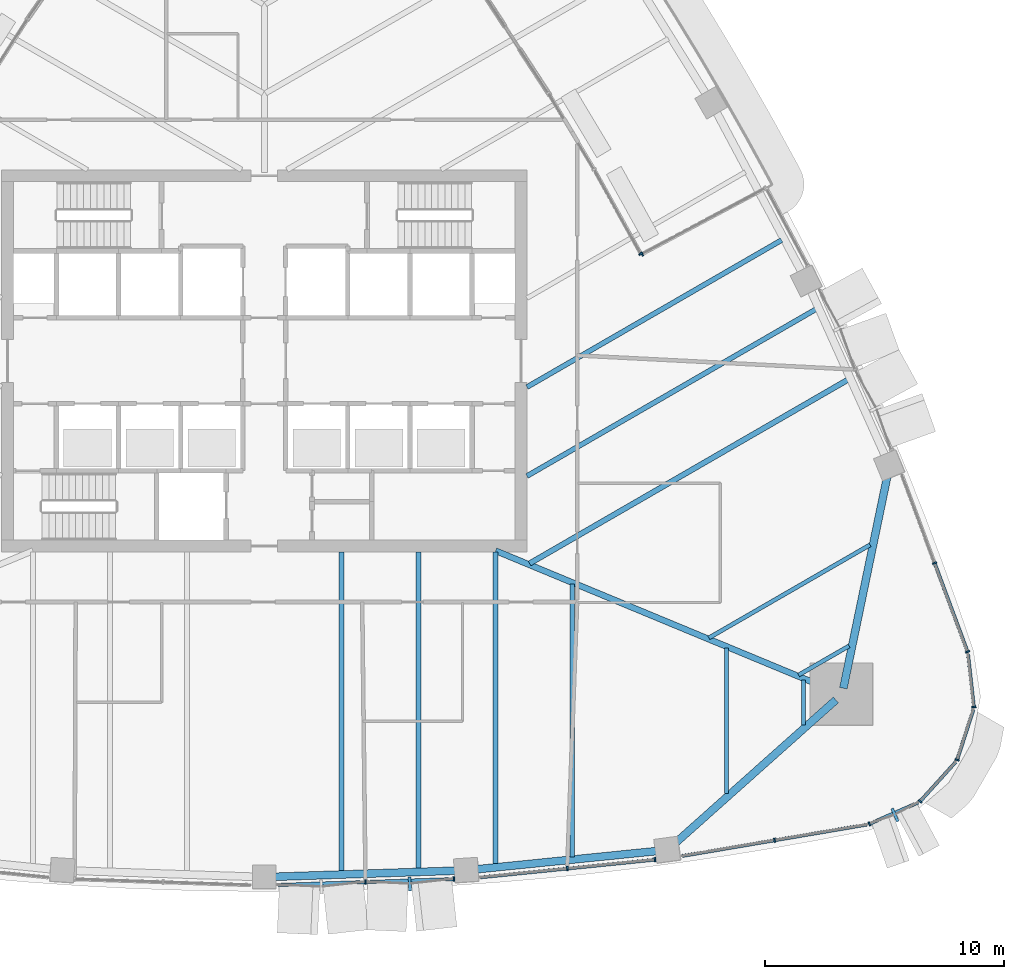
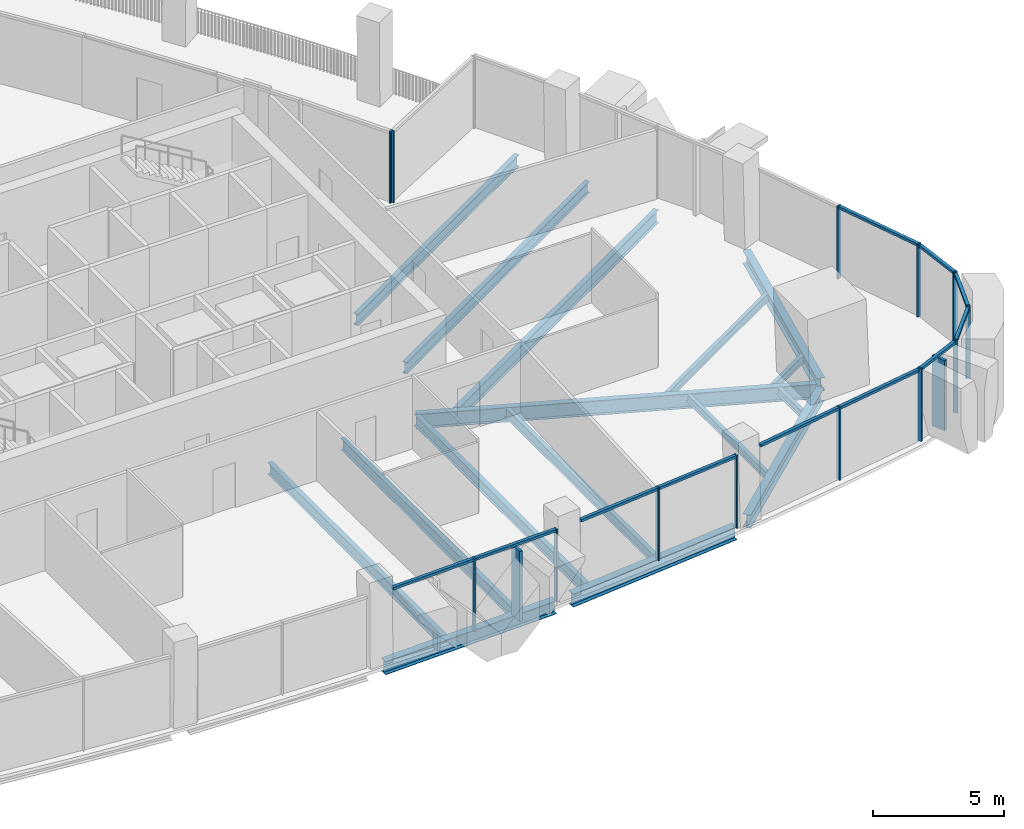
# One storey, part 4 of 21: 26 members, 16 beams, 10 elements without a shape of their own.
"""IFC4 building model written with IfcOpenShell, lengths in metres."""

from ifc_helpers import new_model, si_unit, direction, frame, origin, origin_2d, place, context, subcontext, project, spatial, rectangle, i_section, extrude, material, layer, layer_set, material_profile, profile_set, type_object, element, aggregate, save


model = new_model("IFC4")

# Units and contexts
model_context = context("Model", 3, precision=1e-05, world=origin(), true_north=direction((0.0, 1.0)))
body_context = subcontext(model_context, "Body", "Model", "MODEL_VIEW")
ifc_project = project(units=[si_unit("LENGTHUNIT", "METRE"), si_unit("AREAUNIT", "SQUARE_METRE"), si_unit("VOLUMEUNIT", "CUBIC_METRE"), si_unit("PLANEANGLEUNIT", "RADIAN"), si_unit("MASSUNIT", "GRAM", prefix="KILO")], contexts=[model_context])

# Site, building, storey
site_placement = place(None, origin())
site = spatial("IfcSite", under=ifc_project, at=site_placement, CompositionType="ELEMENT")
building_placement = place(site_placement, origin())
building = spatial("IfcBuilding", under=site, at=building_placement, Name="Sierra Prisma Convention Tower", CompositionType="ELEMENT")
storey_placement = place(building_placement, frame((0.0, 0.0, 157.800048828125)))
storey = spatial("IfcBuildingStorey", under=building, at=storey_placement, Name="L34", CompositionType="ELEMENT", Elevation=157.800048828125)

# Curtain wall, member
ifc_material_1 = material(Name="Aluminium and glass curtain wall", Category="aluminium")
ifc_layer_1 = layer(ifc_material_1, 0.179931640625)
ifc_layer_set_1 = layer_set([ifc_layer_1], Name="CW-2 Faceted crystal curtain wall")
curtain_wall_type_1 = type_object("IfcCurtainWallType", Name="CW-2 Faceted crystal curtain wall", PredefinedType="NOTDEFINED", material=ifc_layer_set_1)
curtain_wall_1_placement = place(storey_placement, origin())
curtain_wall_1 = element("IfcCurtainWall", 1, at=curtain_wall_1_placement, inside=storey, type_object=curtain_wall_type_1, Name="CW-2 S4 L34", PredefinedType="NOTDEFINED")
ifc_material_2 = material(Name="Aluminium 6063-T6 bronze anodised", Category="aluminium")
ifc_material_profile_1 = material_profile(ifc_material_2, rectangle(XDim=0.1201171875, YDim=0.60009765625, at=origin_2d()), Name="ALU RIDGE BLADE 120x600")
ifc_profile_set_1 = profile_set([ifc_material_profile_1], Name="Aluminium 6063-T6 bronze anodised")
member_type_1 = type_object("IfcMemberType", Name="CW hip bronze", PredefinedType="MULLION", material=ifc_profile_set_1)
member_1_placement = place(storey_placement, frame((6.093505859375, -21.907958984375, 0.0), z_axis=(0.0, 0.0, 1.0), x_axis=(0.999434157235, 0.033635774868, 0.0)))
member_1 = element("IfcMember", 2, at=member_1_placement, type_object=member_type_1, Name="CW-2 ridge S4.2", PredefinedType="MULLION", context=body_context, shape_type="SweptSolid", body=[
    extrude(rectangle(XDim=0.1201171875, YDim=0.60009765625, at=origin_2d()), origin(), (0.0, 0.0, 1.0), 3.280029296875),
])

curtain_wall_2_placement = place(storey_placement, origin())
curtain_wall_2 = element("IfcCurtainWall", 3, at=curtain_wall_2_placement, inside=storey, type_object=curtain_wall_type_1, Name="CW-2 SE1 L34", PredefinedType="NOTDEFINED")
member_2_placement = place(storey_placement, frame((26.40966796875, -19.018310546875, 0.0), z_axis=(0.0, 0.0, 1.0), x_axis=(0.915845024487, 0.40153193039, 0.0)))
member_2 = element("IfcMember", 4, at=member_2_placement, type_object=member_type_1, Name="CW-2 ridge SE1.1", PredefinedType="MULLION", context=body_context, shape_type="SweptSolid", body=[
    extrude(rectangle(XDim=0.1201171875, YDim=0.60009765625, at=origin_2d()), origin(), (0.0, 0.0, 1.0), 3.280029296875),
])

# Member
ifc_material_3 = material(Name="Aluminium 6063-T6 bronze anodised", Category="aluminium")
ifc_material_profile_2 = material_profile(ifc_material_3, rectangle(XDim=0.179931640625, YDim=0.070068359375, at=origin_2d()), Name="ALU MULLION 70x180")
ifc_profile_set_2 = profile_set([ifc_material_profile_2], Name="Aluminium 6063-T6 bronze anodised")
member_type_2 = type_object("IfcMemberType", Name="CW mullion bronze", PredefinedType="MULLION", material=ifc_profile_set_2)
member_3_placement = place(storey_placement, frame((4.2373046875, -21.827392578125, 0.0), z_axis=(0.0, 0.0, 1.0), x_axis=(-0.033635774868, 0.999434157235, 0.0)))
member_3 = element("IfcMember", 5, at=member_3_placement, type_object=member_type_2, Name="CW-1 mullion S4.2", PredefinedType="MULLION", context=body_context, shape_type="SweptSolid", body=[
    extrude(rectangle(XDim=0.179931640625, YDim=0.070068359375, at=origin_2d()), origin(), (0.0, 0.0, 1.0), 3.39990234375),
])

member_4_placement = place(storey_placement, frame((7.940185546875, -21.702880859375, 0.0), z_axis=(0.0, 0.0, 1.0), x_axis=(-0.033635774868, 0.999434157235, 0.0)))
member_4 = element("IfcMember", 6, at=member_4_placement, type_object=member_type_2, Name="CW-1 mullion S4.3", PredefinedType="MULLION", context=body_context, shape_type="SweptSolid", body=[
    extrude(rectangle(XDim=0.179931640625, YDim=0.070068359375, at=origin_2d()), origin(), (0.0, 0.0, 1.0), 3.39990234375),
])

# Curtain wall, members
ifc_material_4 = material(Name="Aluminium and glass curtain wall", Category="aluminium")
ifc_layer_2 = layer(ifc_material_4, 0.179931640625)
ifc_layer_set_2 = layer_set([ifc_layer_2], Name="CW-1 Plain shaft curtain wall")
curtain_wall_type_2 = type_object("IfcCurtainWallType", Name="CW-1 Plain shaft curtain wall", PredefinedType="NOTDEFINED", material=ifc_layer_set_2)
curtain_wall_3_placement = place(storey_placement, origin())
curtain_wall_3 = element("IfcCurtainWall", 7, at=curtain_wall_3_placement, inside=storey, type_object=curtain_wall_type_2, Name="CW-1 S5 L34", PredefinedType="NOTDEFINED")
member_5_placement = place(storey_placement, frame((12.689697265625, -21.2587890625, 0.0), z_axis=(0.0, 0.0, 1.0), x_axis=(-0.10075510722, 0.994911256529, 0.0)))
member_5 = element("IfcMember", 8, at=member_5_placement, type_object=member_type_2, Name="CW-1 mullion S5.2", PredefinedType="MULLION", context=body_context, shape_type="SweptSolid", body=[
    extrude(rectangle(XDim=0.179931640625, YDim=0.070068359375, at=origin_2d()), origin(), (0.0, 0.0, 1.0), 3.39990234375),
])
member_6_placement = place(storey_placement, frame((16.359619140625, -20.88720703125, 0.0), z_axis=(0.0, 0.0, 1.0), x_axis=(-0.10075510722, 0.994911256529, 0.0)))
member_6 = element("IfcMember", 9, at=member_6_placement, type_object=member_type_2, Name="CW-1 mullion S5.3", PredefinedType="MULLION", context=body_context, shape_type="SweptSolid", body=[
    extrude(rectangle(XDim=0.179931640625, YDim=0.070068359375, at=origin_2d()), origin(), (0.0, 0.0, 1.0), 3.39990234375),
])

# Curtain wall, member
curtain_wall_4_placement = place(storey_placement, origin())
curtain_wall_4 = element("IfcCurtainWall", 10, at=curtain_wall_4_placement, inside=storey, type_object=curtain_wall_type_2, Name="CW-1 S6 L34", PredefinedType="NOTDEFINED")
member_7_placement = place(storey_placement, frame((21.369140625, -20.075927734375, 0.0), z_axis=(0.0, 0.0, 1.0), x_axis=(-0.167418476224, 0.985885923329, 0.0)))
member_7 = element("IfcMember", 11, at=member_7_placement, type_object=member_type_2, Name="CW-1 mullion S6.2", PredefinedType="MULLION", context=body_context, shape_type="SweptSolid", body=[
    extrude(rectangle(XDim=0.179931640625, YDim=0.070068359375, at=origin_2d()), origin(), (0.0, 0.0, 1.0), 3.39990234375),
])

# Member
member_8_placement = place(storey_placement, frame((25.3408203125, -19.392822265625, 0.0), z_axis=(0.0, 0.0, 1.0), x_axis=(-0.40153193039, 0.915845024487, 0.0)))
member_8 = element("IfcMember", 12, at=member_8_placement, type_object=member_type_2, Name="CW-1 mullion SE1.1", PredefinedType="MULLION", context=body_context, shape_type="SweptSolid", body=[
    extrude(rectangle(XDim=0.179931640625, YDim=0.070068359375, at=origin_2d()), origin(), (0.0, 0.0, 1.0), 3.39990234375),
])

# Curtain wall, member
curtain_wall_5_placement = place(storey_placement, origin())
curtain_wall_5 = element("IfcCurtainWall", 13, at=curtain_wall_5_placement, inside=storey, type_object=curtain_wall_type_2, Name="CW-1 SE2 L34", PredefinedType="NOTDEFINED")
member_9_placement = place(storey_placement, frame((27.46484375, -18.446044921875, 0.0), z_axis=(0.0, 0.0, 1.0), x_axis=(-0.741874351638, 0.670538922346, 0.0)))
member_9 = element("IfcMember", 14, at=member_9_placement, type_object=member_type_2, Name="CW-1 mullion SE2.1", PredefinedType="MULLION", context=body_context, shape_type="SweptSolid", body=[
    extrude(rectangle(XDim=0.179931640625, YDim=0.070068359375, at=origin_2d()), origin(), (0.0, 0.0, 1.0), 3.39990234375),
])

curtain_wall_6_placement = place(storey_placement, origin())
curtain_wall_6 = element("IfcCurtainWall", 15, at=curtain_wall_6_placement, inside=storey, type_object=curtain_wall_type_2, Name="CW-1 SE3 L34", PredefinedType="NOTDEFINED")
member_10_placement = place(storey_placement, frame((29.013427734375, -16.71142578125, 0.0), z_axis=(0.0, 0.0, 1.0), x_axis=(-0.951640916797, 0.307212573762, 0.0)))
member_10 = element("IfcMember", 16, at=member_10_placement, type_object=member_type_2, Name="CW-1 mullion SE3.1", PredefinedType="MULLION", context=body_context, shape_type="SweptSolid", body=[
    extrude(rectangle(XDim=0.179931640625, YDim=0.070068359375, at=origin_2d()), origin(), (0.0, 0.0, 1.0), 3.39990234375),
])

curtain_wall_7_placement = place(storey_placement, origin())
curtain_wall_7 = element("IfcCurtainWall", 17, at=curtain_wall_7_placement, inside=storey, type_object=curtain_wall_type_2, Name="CW-1 SE4 L34", PredefinedType="NOTDEFINED")
member_11_placement = place(storey_placement, frame((29.714111328125, -14.494140625, 0.0), z_axis=(0.0, 0.0, 1.0), x_axis=(-0.99391102233, -0.110185660095, 0.0)))
member_11 = element("IfcMember", 18, at=member_11_placement, type_object=member_type_2, Name="CW-1 mullion SE4.1", PredefinedType="MULLION", context=body_context, shape_type="SweptSolid", body=[
    extrude(rectangle(XDim=0.179931640625, YDim=0.070068359375, at=origin_2d()), origin(), (0.0, 0.0, 1.0), 3.39990234375),
])

# Curtain wall, members
curtain_wall_8_placement = place(storey_placement, origin())
curtain_wall_8 = element("IfcCurtainWall", 19, at=curtain_wall_8_placement, inside=storey, type_object=curtain_wall_type_2, Name="CW-1 NE1 L34", PredefinedType="NOTDEFINED")
member_12_placement = place(storey_placement, frame((29.44921875, -12.181884765625, 0.0), z_axis=(0.0, 0.0, 1.0), x_axis=(-0.937511492949, -0.347954308192, 0.0)))
member_12 = element("IfcMember", 20, at=member_12_placement, type_object=member_type_2, Name="CW-1 mullion NE1.1", PredefinedType="MULLION", context=body_context, shape_type="SweptSolid", body=[
    extrude(rectangle(XDim=0.179931640625, YDim=0.070068359375, at=origin_2d()), origin(), (0.0, 0.0, 1.0), 3.39990234375),
])
member_13_placement = place(storey_placement, frame((28.07080078125, -8.46826171875, 0.0), z_axis=(0.0, 0.0, 1.0), x_axis=(-0.937511492949, -0.347954308192, 0.0)))
member_13 = element("IfcMember", 21, at=member_13_placement, type_object=member_type_2, Name="CW-1 mullion NE1.2", PredefinedType="MULLION", context=body_context, shape_type="SweptSolid", body=[
    extrude(rectangle(XDim=0.179931640625, YDim=0.070068359375, at=origin_2d()), origin(), (0.0, 0.0, 1.0), 3.39990234375),
])

# Curtain wall, member
ifc_material_5 = material(Name="Aluminium and glass curtain wall", Category="aluminium")
ifc_layer_3 = layer(ifc_material_5, 0.179931640625)
ifc_layer_set_3 = layer_set([ifc_layer_3], Name="CW-6 Terrace recess curtain wall")
curtain_wall_type_3 = type_object("IfcCurtainWallType", Name="CW-6 Terrace recess curtain wall", PredefinedType="NOTDEFINED", material=ifc_layer_set_3)
curtain_wall_9_placement = place(storey_placement, origin())
curtain_wall_9 = element("IfcCurtainWall", 22, at=curtain_wall_9_placement, inside=storey, type_object=curtain_wall_type_3, Name="CW-6 R1 L34", PredefinedType="NOTDEFINED")
member_14_placement = place(storey_placement, frame((15.769775390625, 4.482421875, 0.0), z_axis=(0.0, 0.0, 1.0), x_axis=(-0.874822485069, -0.484443618617, 0.0)))
member_14 = element("IfcMember", 23, at=member_14_placement, type_object=member_type_2, Name="CW-6 mullion R1.1", PredefinedType="MULLION", context=body_context, shape_type="SweptSolid", body=[
    extrude(rectangle(XDim=0.179931640625, YDim=0.070068359375, at=origin_2d()), origin(), (0.0, 0.0, 1.0), 3.33984375),
])
aggregate(curtain_wall_9, [member_14])

curtain_wall_10_placement = place(storey_placement, origin())
curtain_wall_10 = element("IfcCurtainWall", 24, at=curtain_wall_10_placement, inside=storey, type_object=curtain_wall_type_3, Name="CW-6 RT1 L34", PredefinedType="NOTDEFINED")
member_15_placement = place(storey_placement, frame((15.817626953125, 4.46826171875, 0.0), z_axis=(0.0, 0.0, 1.0), x_axis=(0.470587643106, -0.88235325701, 0.0)))
member_15 = element("IfcMember", 25, at=member_15_placement, type_object=member_type_2, Name="CW-6 mullion RT1.2", PredefinedType="MULLION", context=body_context, shape_type="SweptSolid", body=[
    extrude(rectangle(XDim=0.179931640625, YDim=0.070068359375, at=origin_2d()), origin(), (0.0, 0.0, 1.0), 3.33984375),
])
aggregate(curtain_wall_10, [member_15])

# Member
ifc_material_6 = material(Name="Aluminium 6063-T6 bronze anodised", Category="aluminium")
ifc_material_profile_3 = material_profile(ifc_material_6, rectangle(XDim=0.139892578125, YDim=0.1201171875, at=origin_2d()), Name="ALU TRANSOM 120x140")
ifc_profile_set_3 = profile_set([ifc_material_profile_3], Name="Aluminium 6063-T6 bronze anodised")
member_type_3 = type_object("IfcMemberType", Name="CW transom bronze", PredefinedType="USERDEFINED", material=ifc_profile_set_3)
member_16_placement = place(storey_placement, frame((0.569580078125, -21.950927734375, 3.33984375), z_axis=(0.999433668733, 0.03365028683, 0.0), x_axis=(-0.03365028683, 0.999433668733, 0.0)))
member_16 = element("IfcMember", 26, at=member_16_placement, type_object=member_type_3, Name="CW-1 transom S4.1", ObjectType="TRANSOM", PredefinedType="USERDEFINED", context=body_context, shape_type="SweptSolid", body=[
    extrude(rectangle(XDim=0.139892578125, YDim=0.1201171875, at=origin_2d()), origin(), (0.0, 0.0, 1.0), 3.634765625),
])

member_17_placement = place(storey_placement, frame((4.2724609375, -21.826171875, 3.33984375), z_axis=(0.999433668733, 0.03365028683, 0.0), x_axis=(-0.03365028683, 0.999433668733, 0.0)))
member_17 = element("IfcMember", 27, at=member_17_placement, type_object=member_type_3, Name="CW-1 transom S4.2", ObjectType="TRANSOM", PredefinedType="USERDEFINED", context=body_context, shape_type="SweptSolid", body=[
    extrude(rectangle(XDim=0.139892578125, YDim=0.1201171875, at=origin_2d()), origin(), (0.0, 0.0, 1.0), 3.634765625),
])

aggregate(curtain_wall_1, [member_3, member_4, member_16, member_17, member_1])

member_18_placement = place(storey_placement, frame((9.054443359375, -21.626953125, 3.33984375), z_axis=(0.99490743666, 0.100792819582, 0.0), x_axis=(-0.100792819582, 0.99490743666, 0.0)))
member_18 = element("IfcMember", 28, at=member_18_placement, type_object=member_type_3, Name="CW-1 transom S5.1", ObjectType="TRANSOM", PredefinedType="USERDEFINED", context=body_context, shape_type="SweptSolid", body=[
    extrude(rectangle(XDim=0.139892578125, YDim=0.1201171875, at=origin_2d()), origin(), (0.0, 0.0, 1.0), 3.61865234375),
])

member_19_placement = place(storey_placement, frame((12.724609375, -21.25537109375, 3.33984375), z_axis=(0.99490743666, 0.100792819582, 0.0), x_axis=(-0.100792819582, 0.99490743666, 0.0)))
member_19 = element("IfcMember", 29, at=member_19_placement, type_object=member_type_3, Name="CW-1 transom S5.2", ObjectType="TRANSOM", PredefinedType="USERDEFINED", context=body_context, shape_type="SweptSolid", body=[
    extrude(rectangle(XDim=0.139892578125, YDim=0.1201171875, at=origin_2d()), origin(), (0.0, 0.0, 1.0), 3.61865234375),
])

aggregate(curtain_wall_3, [member_5, member_6, member_18, member_19])

member_20_placement = place(storey_placement, frame((17.498291015625, -20.7333984375, 3.33984375), z_axis=(0.985880507186, 0.167450367423, 0.0), x_axis=(-0.167450367423, 0.985880507186, 0.0)))
member_20 = element("IfcMember", 30, at=member_20_placement, type_object=member_type_3, Name="CW-1 transom S6.1", ObjectType="TRANSOM", PredefinedType="USERDEFINED", context=body_context, shape_type="SweptSolid", body=[
    extrude(rectangle(XDim=0.139892578125, YDim=0.1201171875, at=origin_2d()), origin(), (0.0, 0.0, 1.0), 3.891357421875),
])

member_21_placement = place(storey_placement, frame((21.403564453125, -20.070068359375, 3.33984375), z_axis=(0.985889104663, 0.167399741058, 0.0), x_axis=(-0.167399741058, 0.985889104663, 0.0)))
member_21 = element("IfcMember", 31, at=member_21_placement, type_object=member_type_3, Name="CW-1 transom S6.2", ObjectType="TRANSOM", PredefinedType="USERDEFINED", context=body_context, shape_type="SweptSolid", body=[
    extrude(rectangle(XDim=0.139892578125, YDim=0.1201171875, at=origin_2d()), origin(), (0.0, 0.0, 1.0), 3.89111328125),
])

aggregate(curtain_wall_4, [member_7, member_20, member_21])

member_22_placement = place(storey_placement, frame((25.373046875, -19.37890625, 3.33984375), z_axis=(0.915847236275, 0.401526885535, 0.0), x_axis=(-0.401526885535, 0.915847236275, 0.0)))
member_22 = element("IfcMember", 32, at=member_22_placement, type_object=member_type_3, Name="CW-1 transom SE1.1", ObjectType="TRANSOM", PredefinedType="USERDEFINED", context=body_context, shape_type="SweptSolid", body=[
    extrude(rectangle(XDim=0.139892578125, YDim=0.1201171875, at=origin_2d()), origin(), (0.0, 0.0, 1.0), 2.188232421875),
])

aggregate(curtain_wall_2, [member_8, member_22, member_2])

member_23_placement = place(storey_placement, frame((27.48828125, -18.420166015625, 3.33984375), z_axis=(0.670504243859, 0.74190569412, 0.0), x_axis=(-0.74190569412, 0.670504243859, 0.0)))
member_23 = element("IfcMember", 33, at=member_23_placement, type_object=member_type_3, Name="CW-1 transom SE2.1", ObjectType="TRANSOM", PredefinedType="USERDEFINED", context=body_context, shape_type="SweptSolid", body=[
    extrude(rectangle(XDim=0.139892578125, YDim=0.1201171875, at=origin_2d()), origin(), (0.0, 0.0, 1.0), 2.188232421875),
])

aggregate(curtain_wall_5, [member_9, member_23])

member_24_placement = place(storey_placement, frame((29.024169921875, -16.677978515625, 3.33984375), z_axis=(0.307142944664, 0.951663391932, 0.0), x_axis=(-0.951663391932, 0.307142944664, 0.0)))
member_24 = element("IfcMember", 34, at=member_24_placement, type_object=member_type_3, Name="CW-1 transom SE3.1", ObjectType="TRANSOM", PredefinedType="USERDEFINED", context=body_context, shape_type="SweptSolid", body=[
    extrude(rectangle(XDim=0.139892578125, YDim=0.1201171875, at=origin_2d()), origin(), (0.0, 0.0, 1.0), 2.188232421875),
])

aggregate(curtain_wall_6, [member_10, member_24])

member_25_placement = place(storey_placement, frame((29.710205078125, -14.459228515625, 3.33984375), z_axis=(-0.110223365081, 0.993906841606, 0.0), x_axis=(-0.993906841606, -0.110223365081, 0.0)))
member_25 = element("IfcMember", 35, at=member_25_placement, type_object=member_type_3, Name="CW-1 transom SE4.1", ObjectType="TRANSOM", PredefinedType="USERDEFINED", context=body_context, shape_type="SweptSolid", body=[
    extrude(rectangle(XDim=0.139892578125, YDim=0.1201171875, at=origin_2d()), origin(), (0.0, 0.0, 1.0), 2.1884765625),
])

aggregate(curtain_wall_7, [member_11, member_25])

member_26_placement = place(storey_placement, frame((29.43701171875, -12.14892578125, 3.33984375), z_axis=(-0.347972276367, 0.937504823923, 0.0), x_axis=(-0.937504823923, -0.347972276367, 0.0)))
member_26 = element("IfcMember", 36, at=member_26_placement, type_object=member_type_3, Name="CW-1 transom NE1.1", ObjectType="TRANSOM", PredefinedType="USERDEFINED", context=body_context, shape_type="SweptSolid", body=[
    extrude(rectangle(XDim=0.139892578125, YDim=0.1201171875, at=origin_2d()), origin(), (0.0, 0.0, 1.0), 3.89111328125),
])

aggregate(curtain_wall_8, [member_12, member_13, member_26])

# Beams
ifc_material_7 = material(Name="Steel ASTM A992 Gr 50", Category="steel")
ifc_material_profile_4 = material_profile(ifc_material_7, i_section(OverallWidth=0.172119140625, OverallDepth=0.35791015625, WebThickness=0.0078125, FlangeThickness=0.01318359375, at=origin_2d()), Name="W360x57")
ifc_profile_set_4 = profile_set([ifc_material_profile_4], Name="Steel ASTM A992 Gr 50")
beam_type_1 = type_object("IfcBeamType", Name="Floor joist W360x57", PredefinedType="JOIST", material=ifc_profile_set_4)
beam_1_placement = place(storey_placement, frame((19.35693359375, -18.114990234375, -0.3291015625), z_axis=(0.0, 1.0, 0.0), x_axis=(-1.0, 0.0, 0.0)))
element("IfcBeam", 37, at=beam_1_placement, inside=storey, type_object=beam_type_1, Name="Floor joist L34 S14", PredefinedType="JOIST", context=body_context, shape_type="SweptSolid", body=[
    extrude(i_section(OverallWidth=0.172119140625, OverallDepth=0.35791015625, WebThickness=0.0078125, FlangeThickness=0.01318359375, at=origin_2d()), origin(), (0.0, 0.0, 1.0), 6.096923828125),
])
beam_2_placement = place(storey_placement, frame((22.5830078125, -15.23974609375, -0.3291015625), z_axis=(0.0, 1.0, 0.0), x_axis=(-1.0, 0.0, 0.0)))
element("IfcBeam", 38, at=beam_2_placement, inside=storey, type_object=beam_type_1, Name="Floor joist L34 S15", PredefinedType="JOIST", context=body_context, shape_type="SweptSolid", body=[
    extrude(i_section(OverallWidth=0.172119140625, OverallDepth=0.35791015625, WebThickness=0.0078125, FlangeThickness=0.01318359375, at=origin_2d()), origin(), (0.0, 0.0, 1.0), 1.884033203125),
])
beam_3_placement = place(storey_placement, frame((24.489501953125, -11.937744140625, -0.3291015625), z_axis=(-0.866057432153, -0.499944521134, 0.0), x_axis=(0.499944521134, -0.866057432153, 0.0)))
element("IfcBeam", 39, at=beam_3_placement, inside=storey, type_object=beam_type_1, Name="Floor joist L34 NE01", PredefinedType="JOIST", context=body_context, shape_type="SweptSolid", body=[
    extrude(i_section(OverallWidth=0.172119140625, OverallDepth=0.35791015625, WebThickness=0.0078125, FlangeThickness=0.01318359375, at=origin_2d()), origin(), (0.0, 0.0, 1.0), 2.442626953125),
])
beam_4_placement = place(storey_placement, frame((25.366455078125, -7.7060546875, -0.3291015625), z_axis=(-0.866030615021, -0.499990973765, 0.0), x_axis=(0.499990973765, -0.866030615021, 0.0)))
element("IfcBeam", 40, at=beam_4_placement, inside=storey, type_object=beam_type_1, Name="Floor joist L34 NE02", PredefinedType="JOIST", context=body_context, shape_type="SweptSolid", body=[
    extrude(i_section(OverallWidth=0.172119140625, OverallDepth=0.35791015625, WebThickness=0.0078125, FlangeThickness=0.01318359375, at=origin_2d()), origin(), (0.0, 0.0, 1.0), 7.791748046875),
])
ifc_material_8 = material(Name="Steel ASTM A992 Gr 50", Category="steel")
ifc_material_profile_5 = material_profile(ifc_material_8, i_section(OverallWidth=0.18994140625, OverallDepth=0.45703125, WebThickness=0.009033203125, FlangeThickness=0.014404296875, at=origin_2d()), Name="W460x74")
ifc_profile_set_5 = profile_set([ifc_material_profile_5], Name="Steel ASTM A992 Gr 50")
beam_type_2 = type_object("IfcBeamType", Name="Floor joist W460x74", PredefinedType="JOIST", material=ifc_profile_set_5)
beam_5_placement = place(storey_placement, frame((12.904541015625, -20.77197265625, -0.378662109375), z_axis=(0.0, 1.0, 0.0), x_axis=(-1.0, 0.0, 0.0)))
element("IfcBeam", 41, at=beam_5_placement, inside=storey, type_object=beam_type_2, Name="Floor joist L34 S12", PredefinedType="JOIST", context=body_context, shape_type="SweptSolid", body=[
    extrude(i_section(OverallWidth=0.18994140625, OverallDepth=0.45703125, WebThickness=0.009033203125, FlangeThickness=0.014404296875, at=origin_2d()), origin(), (0.0, 0.0, 1.0), 11.4296875),
])
ifc_material_9 = material(Name="Steel ASTM A992 Gr 50", Category="steel")
ifc_material_profile_6 = material_profile(ifc_material_9, i_section(OverallWidth=0.208984375, OverallDepth=0.532958984375, WebThickness=0.01025390625, FlangeThickness=0.015625, at=origin_2d()), Name="W530x92")
ifc_profile_set_6 = profile_set([ifc_material_profile_6], Name="Steel ASTM A992 Gr 50")
beam_type_3 = type_object("IfcBeamType", Name="Floor joist W530x92", PredefinedType="JOIST", material=ifc_profile_set_6)
beam_6_placement = place(storey_placement, frame((3.22607421875, -21.39892578125, -0.41650390625), z_axis=(0.0, 1.0, 0.0), x_axis=(-1.0, 0.0, 0.0)))
element("IfcBeam", 42, at=beam_6_placement, inside=storey, type_object=beam_type_3, Name="Floor joist L34 S09", PredefinedType="JOIST", context=body_context, shape_type="SweptSolid", body=[
    extrude(i_section(OverallWidth=0.208984375, OverallDepth=0.532958984375, WebThickness=0.01025390625, FlangeThickness=0.015625, at=origin_2d()), origin(), (0.0, 0.0, 1.0), 13.39892578125),
])
beam_7_placement = place(storey_placement, frame((6.452392578125, -21.290283203125, -0.41650390625), z_axis=(0.0, 1.0, 0.0), x_axis=(-1.0, 0.0, 0.0)))
element("IfcBeam", 43, at=beam_7_placement, inside=storey, type_object=beam_type_3, Name="Floor joist L34 S10", PredefinedType="JOIST", context=body_context, shape_type="SweptSolid", body=[
    extrude(i_section(OverallWidth=0.208984375, OverallDepth=0.532958984375, WebThickness=0.01025390625, FlangeThickness=0.015625, at=origin_2d()), origin(), (0.0, 0.0, 1.0), 13.290283203125),
])
beam_8_placement = place(storey_placement, frame((9.678466796875, -21.098876953125, -0.41650390625), z_axis=(0.0, 1.0, 0.0), x_axis=(-1.0, 0.0, 0.0)))
element("IfcBeam", 44, at=beam_8_placement, inside=storey, type_object=beam_type_3, Name="Floor joist L34 S11", PredefinedType="JOIST", context=body_context, shape_type="SweptSolid", body=[
    extrude(i_section(OverallWidth=0.208984375, OverallDepth=0.532958984375, WebThickness=0.01025390625, FlangeThickness=0.015625, at=origin_2d()), origin(), (0.0, 0.0, 1.0), 13.098876953125),
])
beam_9_placement = place(storey_placement, frame((23.111328125, 2.167724609375, -0.41650390625), z_axis=(-0.866019297041, -0.500010577041, 0.0), x_axis=(0.500010577041, -0.866019297041, 0.0)))
element("IfcBeam", 45, at=beam_9_placement, inside=storey, type_object=beam_type_3, Name="Floor joist L34 NE05", PredefinedType="JOIST", context=body_context, shape_type="SweptSolid", body=[
    extrude(i_section(OverallWidth=0.208984375, OverallDepth=0.532958984375, WebThickness=0.01025390625, FlangeThickness=0.015625, at=origin_2d()), origin(), (0.0, 0.0, 1.0), 13.985107421875),
])
beam_10_placement = place(storey_placement, frame((21.6640625, 5.057373046875, -0.41650390625), z_axis=(-0.866022482748, -0.50000505935, 0.0), x_axis=(0.50000505935, -0.866022482748, 0.0)))
element("IfcBeam", 46, at=beam_10_placement, inside=storey, type_object=beam_type_3, Name="Floor joist L34 NE06", PredefinedType="JOIST", context=body_context, shape_type="SweptSolid", body=[
    extrude(i_section(OverallWidth=0.208984375, OverallDepth=0.532958984375, WebThickness=0.01025390625, FlangeThickness=0.015625, at=origin_2d()), origin(), (0.0, 0.0, 1.0), 12.313720703125),
])
ifc_material_10 = material(Name="Steel ASTM A992 Gr 50", Category="steel")
ifc_material_profile_7 = material_profile(ifc_material_10, i_section(OverallWidth=0.22802734375, OverallDepth=0.60302734375, WebThickness=0.010498046875, FlangeThickness=0.014892578125, at=origin_2d()), Name="W610x101")
ifc_profile_set_7 = profile_set([ifc_material_profile_7], Name="Steel ASTM A992 Gr 50")
beam_type_4 = type_object("IfcBeamType", Name="Floor joist W610x101", PredefinedType="JOIST", material=ifc_profile_set_7)
beam_11_placement = place(storey_placement, frame((24.44140625, -0.78955078125, -0.45166015625), z_axis=(-0.866020273722, -0.500008885423, 0.0), x_axis=(0.500008885423, -0.866020273722, 0.0)))
element("IfcBeam", 47, at=beam_11_placement, inside=storey, type_object=beam_type_4, Name="Floor joist L34 NE04", PredefinedType="JOIST", context=body_context, shape_type="SweptSolid", body=[
    extrude(i_section(OverallWidth=0.22802734375, OverallDepth=0.60302734375, WebThickness=0.010498046875, FlangeThickness=0.014892578125, at=origin_2d()), origin(), (0.0, 0.0, 1.0), 15.395751953125),
])
ifc_material_11 = material(Name="Steel ASTM A992 Gr 50", Category="steel")
ifc_material_profile_8 = material_profile(ifc_material_11, i_section(OverallWidth=0.25390625, OverallDepth=0.68408203125, WebThickness=0.012451171875, FlangeThickness=0.018798828125, at=origin_2d()), Name="W690x140")
ifc_profile_set_8 = profile_set([ifc_material_profile_8], Name="Steel ASTM A992 Gr 50")
beam_type_5 = type_object("IfcBeamType", Name="Radial girder W690x140", PredefinedType="BEAM", material=ifc_profile_set_8)
beam_12_placement = place(storey_placement, frame((23.93603515625, -13.86181640625, -0.491943359375), z_axis=(-0.923730775384, 0.383042366597, 0.0), x_axis=(-0.383042366597, -0.923730775384, 0.0)))
element("IfcBeam", 48, at=beam_12_placement, inside=storey, type_object=beam_type_5, Name="Radial girder L34 SE", PredefinedType="BEAM", context=body_context, shape_type="SweptSolid", body=[
    extrude(i_section(OverallWidth=0.25390625, OverallDepth=0.68408203125, WebThickness=0.012451171875, FlangeThickness=0.018798828125, at=origin_2d()), origin(), (0.0, 0.0, 1.0), 15.423095703125),
])
ifc_material_12 = material(Name="Steel ASTM A992 Gr 50", Category="steel")
ifc_material_profile_9 = material_profile(ifc_material_12, i_section(OverallWidth=0.324951171875, OverallDepth=0.615966796875, WebThickness=0.013916015625, FlangeThickness=0.021484375, at=origin_2d()), Name="W610x174")
ifc_profile_set_9 = profile_set([ifc_material_profile_9], Name="Steel ASTM A992 Gr 50")
beam_type_6 = type_object("IfcBeamType", Name="Spandrel beam W610x174", PredefinedType="BEAM", material=ifc_profile_set_9)
beam_13_placement = place(storey_placement, frame((0.380126953125, -21.607177734375, -0.4580078125), z_axis=(0.999434097749, 0.033637542366, 0.0), x_axis=(-0.033637542366, 0.999434097749, 0.0)))
element("IfcBeam", 49, at=beam_13_placement, inside=storey, type_object=beam_type_6, Name="Spandrel L34-04", PredefinedType="BEAM", context=body_context, shape_type="SweptSolid", body=[
    extrude(i_section(OverallWidth=0.324951171875, OverallDepth=0.615966796875, WebThickness=0.013916015625, FlangeThickness=0.021484375, at=origin_2d()), origin(), (0.0, 0.0, 1.0), 7.7080078125),
])
beam_14_placement = place(storey_placement, frame((8.84228515625, -21.296875, -0.4580078125), z_axis=(0.994911597093, 0.100751744249, 0.0), x_axis=(-0.100751744249, 0.994911597093, 0.0)))
element("IfcBeam", 50, at=beam_14_placement, inside=storey, type_object=beam_type_6, Name="Spandrel L34-05", PredefinedType="BEAM", context=body_context, shape_type="SweptSolid", body=[
    extrude(i_section(OverallWidth=0.324951171875, OverallDepth=0.615966796875, WebThickness=0.013916015625, FlangeThickness=0.021484375, at=origin_2d()), origin(), (0.0, 0.0, 1.0), 7.708251953125),
])
beam_15_placement = place(storey_placement, frame((17.250244140625, -20.160400390625, -0.4580078125), z_axis=(0.746518275684, 0.665364910458, 0.0), x_axis=(-0.665364910458, 0.746518275684, 0.0)))
element("IfcBeam", 51, at=beam_15_placement, inside=storey, type_object=beam_type_6, Name="Spandrel L34-06", PredefinedType="BEAM", context=body_context, shape_type="SweptSolid", body=[
    extrude(i_section(OverallWidth=0.324951171875, OverallDepth=0.615966796875, WebThickness=0.013916015625, FlangeThickness=0.021484375, at=origin_2d()), origin(), (0.0, 0.0, 1.0), 8.9560546875),
])
beam_16_placement = place(storey_placement, frame((24.25, -13.709716796875, -0.4580078125), z_axis=(0.202952130698, 0.979188660394, 0.0), x_axis=(-0.979188660394, 0.202952130698, 0.0)))
element("IfcBeam", 52, at=beam_16_placement, inside=storey, type_object=beam_type_6, Name="Spandrel L34-07", PredefinedType="BEAM", context=body_context, shape_type="SweptSolid", body=[
    extrude(i_section(OverallWidth=0.324951171875, OverallDepth=0.615966796875, WebThickness=0.013916015625, FlangeThickness=0.021484375, at=origin_2d()), origin(), (0.0, 0.0, 1.0), 9.0390625),
])

save(model, "model.ifc")
